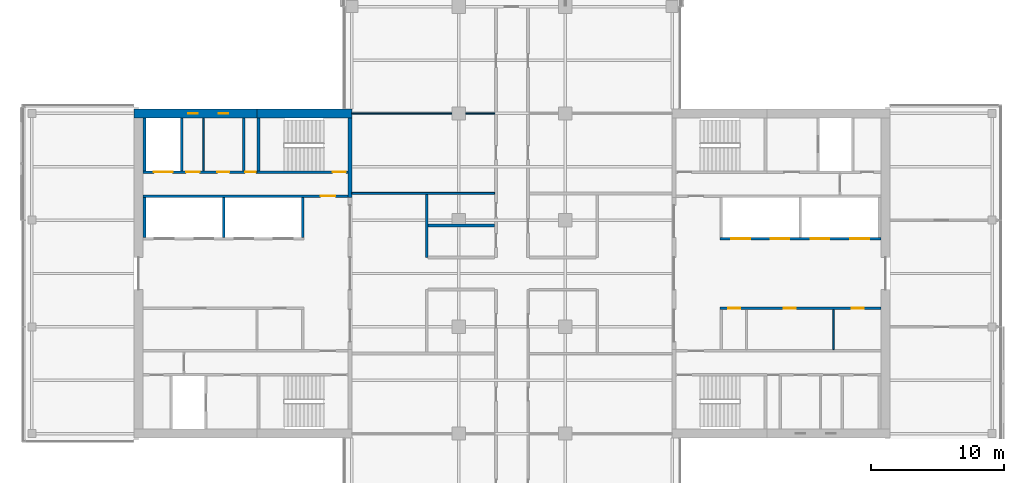
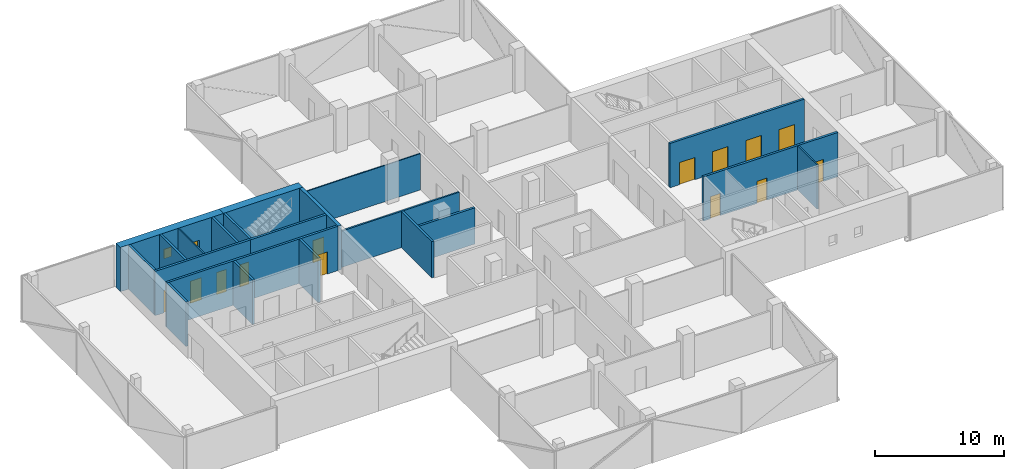
# One storey, part 15 of 22: 21 walls, 13 doors, 2 windows, 15 openings.
"""IFC4 building model written with IfcOpenShell, lengths in metres."""

from ifc_helpers import new_model, si_unit, direction, frame, frame_2d, origin, place, context, subcontext, project, spatial, rectangle, extrude, material, layer, layer_set, constituent, constituent_set, type_object, element, fill, save


model = new_model("IFC4")

# Units and contexts
model_context = context("Model", 3, precision=1e-05, world=origin(), true_north=direction((0.0, 1.0)))
body_context = subcontext(model_context, "Body", "Model", "MODEL_VIEW")
ifc_project = project(units=[si_unit("LENGTHUNIT", "METRE"), si_unit("AREAUNIT", "SQUARE_METRE"), si_unit("VOLUMEUNIT", "CUBIC_METRE"), si_unit("PLANEANGLEUNIT", "RADIAN"), si_unit("MASSUNIT", "GRAM", prefix="KILO")], contexts=[model_context])

# Site, building, storey
site_placement = place(None, origin())
site = spatial("IfcSite", under=ifc_project, at=site_placement, CompositionType="ELEMENT")
building_placement = place(site_placement, origin())
building = spatial("IfcBuilding", under=site, at=building_placement, Name="Crosswind Convention Tower", CompositionType="ELEMENT")
storey_placement = place(building_placement, frame((0.0, 0.0, 133.699951171875)))
storey = spatial("IfcBuildingStorey", under=building, at=storey_placement, Name="L27", CompositionType="ELEMENT", Elevation=133.699951171875)

# Walls
ifc_material_1 = material(Name="Concrete blockwork", Category="masonry")
ifc_layer_1 = layer(ifc_material_1, 0.199951171875)
ifc_layer_set_1 = layer_set([ifc_layer_1], Name="Blockwork partition wall 200")
wall_type_1 = type_object("IfcWallType", Name="Blockwork partition wall 200", PredefinedType="PARTITIONING", material=ifc_layer_set_1)
wall_1_placement = place(storey_placement, frame((104.89990234375, 111.64990234375, 0.0), z_axis=(0.0, 0.0, 1.0), x_axis=(0.0, -1.0, 0.0)))
element("IfcWall", 1, at=wall_1_placement, inside=storey, type_object=wall_type_1, Name="Wall MRSE W L27", PredefinedType="PARTITIONING", context=body_context, shape_type="SweptSolid", body=[
    extrude(rectangle(XDim=3.949951171875, YDim=0.199951171875, at=frame_2d((1.97509765625, 0.0))), origin(), (0.0, 0.0, 1.0), 4.199951171875),
])
ifc_layer_2 = layer(ifc_material_1, 0.199951171875)
ifc_layer_set_2 = layer_set([ifc_layer_2], Name="COMPARTMENT WALL 200 BLOCKWORK")
wall_type_2 = type_object("IfcWallType", Name="COMPARTMENT WALL 200 BLOCKWORK", PredefinedType="SOLIDWALL", material=ifc_layer_set_2)
wall_2_placement = place(storey_placement, frame((118.60009765625, 101.199951171875, 0.0), z_axis=(0.0, 0.0, 1.0), x_axis=(0.0, 1.0, 0.0)))
element("IfcWall", 2, at=wall_2_placement, inside=storey, type_object=wall_type_2, Name="Compartment wall WT42", PredefinedType="SOLIDWALL", context=body_context, shape_type="SweptSolid", body=[
    extrude(rectangle(XDim=4.72509765625, YDim=0.199951171875, at=frame_2d((2.362548828125, 0.0))), origin(), (0.0, 0.0, 1.0), 3.4365234375),
])
wall_3_placement = place(storey_placement, frame((118.699951171875, 103.60009765625, 0.0), z_axis=(0.0, 0.0, 1.0), x_axis=(1.0, 0.0, 0.0)))
element("IfcWall", 3, at=wall_3_placement, inside=storey, type_object=wall_type_2, Name="Compartment wall WT42", PredefinedType="SOLIDWALL", context=body_context, shape_type="SweptSolid", body=[
    extrude(rectangle(XDim=5.0, YDim=0.199951171875, at=frame_2d((2.5, 0.0))), origin(), (0.0, 0.0, 1.0), 3.4365234375),
])
ifc_material_2 = material(Name="Concrete C50/60", Category="concrete")
ifc_layer_3 = layer(ifc_material_2, 0.300048828125)
ifc_layer_set_3 = layer_set([ifc_layer_3], Name="Concrete C50/60")
wall_type_3 = type_object("IfcWallType", Name="Concrete inner core wall 300", PredefinedType="SHEAR", material=ifc_layer_set_3)
wall_4_placement = place(storey_placement, frame((112.85009765625, 111.64990234375, 0.0), z_axis=(0.0, 0.0, 1.0), x_axis=(0.0, -1.0, 0.0)))
element("IfcWall", 4, at=wall_4_placement, inside=storey, type_object=wall_type_3, Name="Wall EM W L27", PredefinedType="SHEAR", context=body_context, shape_type="SweptSolid", body=[
    extrude(rectangle(XDim=5.949951171875, YDim=0.300048828125, at=frame_2d((2.97509765625, 0.0))), origin(), (0.0, 0.0, 1.0), 4.199951171875),
])

# Wall, openings, doors
ifc_layer_4 = layer(ifc_material_2, 0.199951171875)
ifc_layer_set_4 = layer_set([ifc_layer_4], Name="Concrete C50/60")
wall_type_4 = type_object("IfcWallType", Name="Concrete shaft and stair wall 200", PredefinedType="SHEAR", material=ifc_layer_set_4)
wall_5_placement = place(storey_placement, frame((140.60009765625, 102.60009765625, 0.0), z_axis=(0.0, 0.0, 1.0), x_axis=(1.0, 0.0, 0.0)))
wall_5 = element("IfcWall", 5, at=wall_5_placement, inside=storey, type_object=wall_type_4, Name="Wall RPFRONT E L27", PredefinedType="SHEAR", context=body_context, shape_type="SweptSolid", body=[
    extrude(rectangle(XDim=12.0498046875, YDim=0.199951171875, at=frame_2d((6.02490234375, 0.0))), origin(), (0.0, 0.0, 1.0), 4.199951171875),
])
opening_1_placement = place(wall_5_placement, frame((0.85009765625, 0.0, 0.0)))
opening_1 = element("IfcOpeningElement", 6, at=opening_1_placement, cuts=wall_5, Name="Opening LD2", PredefinedType="OPENING", context=body_context, shape_type="SweptSolid", body=[
    extrude(rectangle(XDim=1.39990234375, YDim=2.10009765625, at=frame_2d((0.699951171875, 1.050048828125))), frame((0.0, 0.10986328125, 0.0), z_axis=(0.0, -1.0, 0.0), x_axis=(1.0, 0.0, 0.0)), (0.0, 0.0, 1.0), 0.219970703125),
])
opening_2_placement = place(wall_5_placement, frame((3.800048828125, 0.0, 0.0)))
opening_2 = element("IfcOpeningElement", 7, at=opening_2_placement, cuts=wall_5, Name="Opening LD2", PredefinedType="OPENING", context=body_context, shape_type="SweptSolid", body=[
    extrude(rectangle(XDim=1.39990234375, YDim=2.10009765625, at=frame_2d((0.699951171875, 1.050048828125))), frame((0.0, 0.10986328125, 0.0), z_axis=(0.0, -1.0, 0.0), x_axis=(1.0, 0.0, 0.0)), (0.0, 0.0, 1.0), 0.219970703125),
])
opening_3_placement = place(wall_5_placement, frame((6.800048828125, 0.0, 0.0)))
opening_3 = element("IfcOpeningElement", 8, at=opening_3_placement, cuts=wall_5, Name="Opening LD2", PredefinedType="OPENING", context=body_context, shape_type="SweptSolid", body=[
    extrude(rectangle(XDim=1.39990234375, YDim=2.10009765625, at=frame_2d((0.699951171875, 1.050048828125))), frame((0.0, 0.10986328125, 0.0), z_axis=(0.0, -1.0, 0.0), x_axis=(1.0, 0.0, 0.0)), (0.0, 0.0, 1.0), 0.219970703125),
])
opening_4_placement = place(wall_5_placement, frame((9.77490234375, 0.0, 0.0)))
opening_4 = element("IfcOpeningElement", 9, at=opening_4_placement, cuts=wall_5, Name="Opening LD2", PredefinedType="OPENING", context=body_context, shape_type="SweptSolid", body=[
    extrude(rectangle(XDim=1.39990234375, YDim=2.10009765625, at=frame_2d((0.699951171875, 1.050048828125))), frame((0.0, 0.10986328125, 0.0), z_axis=(0.0, -1.0, 0.0), x_axis=(1.0, 0.0, 0.0)), (0.0, 0.0, 1.0), 0.219970703125),
])
ifc_material_3 = material(Name="Stainless steel", Category="steel")
door_type_1 = type_object("IfcDoorType", Name="Lift landing door 1400x2100", OperationType="DOUBLE_DOOR_SLIDING", PredefinedType="DOOR", material=ifc_material_3)
door_1_placement = place(opening_1_placement, origin())
door_1 = element("IfcDoor", 10, at=door_1_placement, inside=storey, type_object=door_type_1, Name="Landing door A1 L27", ObjectType="LD2", OperationType="DOUBLE_DOOR_SLIDING", OverallHeight=2.10009765625, OverallWidth=1.39990234375, PredefinedType="DOOR", context=body_context, shape_type="SweptSolid", body=[
    extrude(rectangle(XDim=1.39990234375, YDim=2.10009765625, at=frame_2d((0.699951171875, 1.050048828125))), frame((0.0, 0.02490234375, 0.0), z_axis=(0.0, -1.0, 0.0), x_axis=(1.0, 0.0, 0.0)), (0.0, 0.0, 1.0), 0.050048828125),
])
fill(opening_1, door_1)
door_2_placement = place(opening_2_placement, origin())
door_2 = element("IfcDoor", 11, at=door_2_placement, inside=storey, type_object=door_type_1, Name="Landing door A2 L27", ObjectType="LD2", OperationType="DOUBLE_DOOR_SLIDING", OverallHeight=2.10009765625, OverallWidth=1.39990234375, PredefinedType="DOOR", context=body_context, shape_type="SweptSolid", body=[
    extrude(rectangle(XDim=1.39990234375, YDim=2.10009765625, at=frame_2d((0.699951171875, 1.050048828125))), frame((0.0, 0.02490234375, 0.0), z_axis=(0.0, -1.0, 0.0), x_axis=(1.0, 0.0, 0.0)), (0.0, 0.0, 1.0), 0.050048828125),
])
fill(opening_2, door_2)
door_3_placement = place(opening_3_placement, origin())
door_3 = element("IfcDoor", 12, at=door_3_placement, inside=storey, type_object=door_type_1, Name="Landing door A3 L27", ObjectType="LD2", OperationType="DOUBLE_DOOR_SLIDING", OverallHeight=2.10009765625, OverallWidth=1.39990234375, PredefinedType="DOOR", context=body_context, shape_type="SweptSolid", body=[
    extrude(rectangle(XDim=1.39990234375, YDim=2.10009765625, at=frame_2d((0.699951171875, 1.050048828125))), frame((0.0, 0.02490234375, 0.0), z_axis=(0.0, -1.0, 0.0), x_axis=(1.0, 0.0, 0.0)), (0.0, 0.0, 1.0), 0.050048828125),
])
fill(opening_3, door_3)
door_4_placement = place(opening_4_placement, origin())
door_4 = element("IfcDoor", 13, at=door_4_placement, inside=storey, type_object=door_type_1, Name="Landing door A4 L27", ObjectType="LD2", OperationType="DOUBLE_DOOR_SLIDING", OverallHeight=2.10009765625, OverallWidth=1.39990234375, PredefinedType="DOOR", context=body_context, shape_type="SweptSolid", body=[
    extrude(rectangle(XDim=1.39990234375, YDim=2.10009765625, at=frame_2d((0.699951171875, 1.050048828125))), frame((0.0, 0.02490234375, 0.0), z_axis=(0.0, -1.0, 0.0), x_axis=(1.0, 0.0, 0.0)), (0.0, 0.0, 1.0), 0.050048828125),
])
fill(opening_4, door_4)

wall_6_placement = place(storey_placement, frame((140.60009765625, 97.39990234375, 0.0), z_axis=(0.0, 0.0, 1.0), x_axis=(1.0, 0.0, 0.0)))
wall_6 = element("IfcWall", 14, at=wall_6_placement, inside=storey, type_object=wall_type_4, Name="Wall RMFRONT E L27", PredefinedType="SHEAR", context=body_context, shape_type="SweptSolid", body=[
    extrude(rectangle(XDim=12.0498046875, YDim=0.199951171875, at=frame_2d((6.02490234375, 0.0))), origin(), (0.0, 0.0, 1.0), 4.199951171875),
])
opening_5_placement = place(wall_6_placement, frame((0.607421875, 0.0, 0.0)))
opening_5 = element("IfcOpeningElement", 15, at=opening_5_placement, cuts=wall_6, Name="Opening D106", PredefinedType="OPENING", context=body_context, shape_type="SweptSolid", body=[
    extrude(rectangle(XDim=0.89990234375, YDim=2.10009765625, at=frame_2d((0.449951171875, 1.050048828125))), frame((0.0, 0.10986328125, 0.0), z_axis=(0.0, -1.0, 0.0), x_axis=(1.0, 0.0, 0.0)), (0.0, 0.0, 1.0), 0.219970703125),
])
opening_6_placement = place(wall_6_placement, frame((4.7861328125, 0.0, 0.0)))
opening_6 = element("IfcOpeningElement", 16, at=opening_6_placement, cuts=wall_6, Name="Opening D106", PredefinedType="OPENING", context=body_context, shape_type="SweptSolid", body=[
    extrude(rectangle(XDim=0.89990234375, YDim=2.10009765625, at=frame_2d((0.449951171875, 1.050048828125))), frame((0.0, 0.10986328125, 0.0), z_axis=(0.0, -1.0, 0.0), x_axis=(1.0, 0.0, 0.0)), (0.0, 0.0, 1.0), 0.219970703125),
])
opening_7_placement = place(wall_6_placement, frame((9.853759765625, 0.0, 0.0)))
opening_7 = element("IfcOpeningElement", 17, at=opening_7_placement, cuts=wall_6, Name="Opening D106", PredefinedType="OPENING", context=body_context, shape_type="SweptSolid", body=[
    extrude(rectangle(XDim=0.89990234375, YDim=2.10009765625, at=frame_2d((0.449951171875, 1.050048828125))), frame((0.0, 0.10986328125, 0.0), z_axis=(0.0, -1.0, 0.0), x_axis=(1.0, 0.0, 0.0)), (0.0, 0.0, 1.0), 0.219970703125),
])
ifc_material_4 = material(Name="Timber door", Category="wood")
door_type_2 = type_object("IfcDoorType", Name="Single leaf door 900x2100", OperationType="NOTDEFINED", PredefinedType="DOOR", material=ifc_material_4)
door_5_placement = place(opening_5_placement, frame((0.89990234375, 0.0, 0.0), z_axis=(0.0, 0.0, 1.0), x_axis=(-1.0, 0.0, 0.0)))
door_5 = element("IfcDoor", 18, at=door_5_placement, inside=storey, type_object=door_type_2, Name="Door to storeroom L27", ObjectType="D106", OperationType="SINGLE_SWING_LEFT", OverallHeight=2.10009765625, OverallWidth=0.89990234375, PredefinedType="DOOR", context=body_context, shape_type="SweptSolid", body=[
    extrude(rectangle(XDim=0.89990234375, YDim=2.10009765625, at=frame_2d((0.449951171875, 1.050048828125))), frame((0.0, 0.02490234375, 0.0), z_axis=(0.0, -1.0, 0.0), x_axis=(1.0, 0.0, 0.0)), (0.0, 0.0, 1.0), 0.050048828125),
])
fill(opening_5, door_5)
door_6_placement = place(opening_6_placement, frame((0.89990234375, 0.0, 0.0), z_axis=(0.0, 0.0, 1.0), x_axis=(-1.0, 0.0, 0.0)))
door_6 = element("IfcDoor", 19, at=door_6_placement, inside=storey, type_object=door_type_2, Name="Door to tenant services room L27", ObjectType="D106", OperationType="SINGLE_SWING_LEFT", OverallHeight=2.10009765625, OverallWidth=0.89990234375, PredefinedType="DOOR", context=body_context, shape_type="SweptSolid", body=[
    extrude(rectangle(XDim=0.89990234375, YDim=2.10009765625, at=frame_2d((0.449951171875, 1.050048828125))), frame((0.0, 0.02490234375, 0.0), z_axis=(0.0, -1.0, 0.0), x_axis=(1.0, 0.0, 0.0)), (0.0, 0.0, 1.0), 0.050048828125),
])
fill(opening_6, door_6)
door_7_placement = place(opening_7_placement, frame((0.89990234375, 0.0, 0.0), z_axis=(0.0, 0.0, 1.0), x_axis=(-1.0, 0.0, 0.0)))
door_7 = element("IfcDoor", 20, at=door_7_placement, inside=storey, type_object=door_type_2, Name="Door to copy and print room L27", ObjectType="D106", OperationType="SINGLE_SWING_LEFT", OverallHeight=2.10009765625, OverallWidth=0.89990234375, PredefinedType="DOOR", context=body_context, shape_type="SweptSolid", body=[
    extrude(rectangle(XDim=0.89990234375, YDim=2.10009765625, at=frame_2d((0.449951171875, 1.050048828125))), frame((0.0, 0.02490234375, 0.0), z_axis=(0.0, -1.0, 0.0), x_axis=(1.0, 0.0, 0.0)), (0.0, 0.0, 1.0), 0.050048828125),
])
fill(opening_7, door_7)

# Walls
for number, where, z_axis, x_axis, name in (
    (21, (109.300048828125, 105.699951171875, 0.0), (0.0, 0.0, 1.0), (0.0, -1.0, 0.0), "Wall RMEND W L27"),
    (22, (103.39990234375, 105.699951171875, 0.0), (0.0, 0.0, 1.0), (0.0, -1.0, 0.0), "Wall RMSEP W L27"),
    (23, (97.449951171875, 105.699951171875, 0.0), (0.0, 0.0, 1.0), (0.0, -1.0, 0.0), "Wall RMEAST W L27"),
):
    element("IfcWall", number, at=place(storey_placement, frame(where, z_axis=z_axis, x_axis=x_axis)), inside=storey, type_object=wall_type_4, Name=name, PredefinedType="SHEAR", context=body_context, shape_type="SweptSolid", body=[
        extrude(rectangle(XDim=3.0, YDim=0.199951171875, at=frame_2d((1.5, 0.0))), origin(), (0.0, 0.0, 1.0), 4.199951171875),
    ])

# Wall, opening, door
wall_7_placement = place(storey_placement, frame((112.699951171875, 105.800048828125, 0.0), z_axis=(0.0, 0.0, 1.0), x_axis=(-1.0, 0.0, 0.0)))
wall_7 = element("IfcWall", 24, at=wall_7_placement, inside=storey, type_object=wall_type_4, Name="Wall HM W L27", PredefinedType="SHEAR", context=body_context, shape_type="SweptSolid", body=[
    extrude(rectangle(XDim=15.349853515625, YDim=0.199951171875, at=frame_2d((7.6748046875, 0.0))), origin(), (0.0, 0.0, 1.0), 4.199951171875),
])
opening_8_placement = place(wall_7_placement, frame((0.949951171875, 0.0, 0.0)))
opening_8 = element("IfcOpeningElement", 25, at=opening_8_placement, cuts=wall_7, Name="Opening D104", PredefinedType="OPENING", context=body_context, shape_type="SweptSolid", body=[
    extrude(rectangle(XDim=1.10009765625, YDim=2.10009765625, at=frame_2d((0.550048828125, 1.050048828125))), frame((0.0, 0.10986328125, 0.0), z_axis=(0.0, -1.0, 0.0), x_axis=(1.0, 0.0, 0.0)), (0.0, 0.0, 1.0), 0.219970703125),
])
ifc_material_5 = material(Name="Steel fire door", Category="steel")
door_type_3 = type_object("IfcDoorType", Name="Fire-rated single door 1100x2100", OperationType="NOTDEFINED", PredefinedType="DOOR", material=ifc_material_5)
door_8_placement = place(opening_8_placement, origin())
door_8 = element("IfcDoor", 26, at=door_8_placement, inside=storey, type_object=door_type_3, Name="Corridor door L27", ObjectType="D104", OperationType="SINGLE_SWING_LEFT", OverallHeight=2.10009765625, OverallWidth=1.10009765625, PredefinedType="DOOR", context=body_context, shape_type="SweptSolid", body=[
    extrude(rectangle(XDim=1.10009765625, YDim=2.10009765625, at=frame_2d((0.550048828125, 1.050048828125))), frame((0.0, 0.02490234375, 0.0), z_axis=(0.0, -1.0, 0.0), x_axis=(1.0, 0.0, 0.0)), (0.0, 0.0, 1.0), 0.050048828125),
])
fill(opening_8, door_8)

# Walls
for number, where, z_axis, x_axis, name in (
    (27, (106.0, 111.64990234375, 0.0), (0.0, 0.0, 1.0), (0.0, -1.0, 0.0), "Wall MSE W L27"),
    (28, (100.25, 111.64990234375, 0.0), (0.0, 0.0, 1.0), (0.0, -1.0, 0.0), "Wall MFSW W L27"),
    (29, (97.449951171875, 111.64990234375, 0.0), (0.0, 0.0, 1.0), (0.0, -1.0, 0.0), "Wall MFSE W L27"),
):
    element("IfcWall", number, at=place(storey_placement, frame(where, z_axis=z_axis, x_axis=x_axis)), inside=storey, type_object=wall_type_4, Name=name, PredefinedType="SHEAR", context=body_context, shape_type="SweptSolid", body=[
        extrude(rectangle(XDim=3.949951171875, YDim=0.199951171875, at=frame_2d((1.97509765625, 0.0))), origin(), (0.0, 0.0, 1.0), 4.199951171875),
    ])

# Wall, opening, door
wall_8_placement = place(storey_placement, frame((112.699951171875, 107.60009765625, 0.0), z_axis=(0.0, 0.0, 1.0), x_axis=(-1.0, 0.0, 0.0)))
wall_8 = element("IfcWall", 30, at=wall_8_placement, inside=storey, type_object=wall_type_4, Name="Wall MCW W L27", PredefinedType="SHEAR", context=body_context, shape_type="SweptSolid", body=[
    extrude(rectangle(XDim=6.800048828125, YDim=0.199951171875, at=frame_2d((3.39990234375, 0.0))), origin(), (0.0, 0.0, 1.0), 4.199951171875),
])
opening_9_placement = place(wall_8_placement, frame((0.14990234375, 0.0, 0.0)))
opening_9 = element("IfcOpeningElement", 31, at=opening_9_placement, cuts=wall_8, Name="Opening D103", PredefinedType="OPENING", context=body_context, shape_type="SweptSolid", body=[
    extrude(rectangle(XDim=1.0, YDim=2.10009765625, at=frame_2d((0.5, 1.050048828125))), frame((0.0, 0.10986328125, 0.0), z_axis=(0.0, -1.0, 0.0), x_axis=(1.0, 0.0, 0.0)), (0.0, 0.0, 1.0), 0.219970703125),
])
door_type_4 = type_object("IfcDoorType", Name="Fire-rated single door 1000x2100", OperationType="NOTDEFINED", PredefinedType="DOOR", material=ifc_material_5)
door_9_placement = place(opening_9_placement, frame((1.0, 0.0, 0.0), z_axis=(0.0, 0.0, 1.0), x_axis=(-1.0, 0.0, 0.0)))
door_9 = element("IfcDoor", 32, at=door_9_placement, inside=storey, type_object=door_type_4, Name="Stair ST4 door L27", ObjectType="D103", OperationType="SINGLE_SWING_RIGHT", OverallHeight=2.10009765625, OverallWidth=1.0, PredefinedType="DOOR", context=body_context, shape_type="SweptSolid", body=[
    extrude(rectangle(XDim=1.0, YDim=2.10009765625, at=frame_2d((0.5, 1.050048828125))), frame((0.0, 0.02490234375, 0.0), z_axis=(0.0, -1.0, 0.0), x_axis=(1.0, 0.0, 0.0)), (0.0, 0.0, 1.0), 0.050048828125),
])
fill(opening_9, door_9)

# Wall, openings, doors
wall_9_placement = place(storey_placement, frame((105.89990234375, 107.60009765625, 0.0), z_axis=(0.0, 0.0, 1.0), x_axis=(-1.0, 0.0, 0.0)))
wall_9 = element("IfcWall", 33, at=wall_9_placement, inside=storey, type_object=wall_type_4, Name="Wall MCX W L27", PredefinedType="SHEAR", context=body_context, shape_type="SweptSolid", body=[
    extrude(rectangle(XDim=8.5498046875, YDim=0.199951171875, at=frame_2d((4.27490234375, 0.0))), origin(), (0.0, 0.0, 1.0), 4.199951171875),
])
opening_10_placement = place(wall_9_placement, frame((0.10009765625, 0.0, 0.0)))
opening_10 = element("IfcOpeningElement", 34, at=opening_10_placement, cuts=wall_9, Name="Opening D105", PredefinedType="OPENING", context=body_context, shape_type="SweptSolid", body=[
    extrude(rectangle(XDim=0.800048828125, YDim=2.10009765625, at=frame_2d((0.39990234375, 1.050048828125))), frame((0.0, 0.10986328125, 0.0), z_axis=(0.0, -1.0, 0.0), x_axis=(1.0, 0.0, 0.0)), (0.0, 0.0, 1.0), 0.219970703125),
])
opening_11_placement = place(wall_9_placement, frame((2.087158203125, 0.0, 0.0)))
opening_11 = element("IfcOpeningElement", 35, at=opening_11_placement, cuts=wall_9, Name="Opening D106", PredefinedType="OPENING", context=body_context, shape_type="SweptSolid", body=[
    extrude(rectangle(XDim=0.89990234375, YDim=2.10009765625, at=frame_2d((0.449951171875, 1.050048828125))), frame((0.0, 0.10986328125, 0.0), z_axis=(0.0, -1.0, 0.0), x_axis=(1.0, 0.0, 0.0)), (0.0, 0.0, 1.0), 0.219970703125),
])
opening_12_placement = place(wall_9_placement, frame((4.32470703125, 0.0, 0.0)))
opening_12 = element("IfcOpeningElement", 36, at=opening_12_placement, cuts=wall_9, Name="Opening D103", PredefinedType="OPENING", context=body_context, shape_type="SweptSolid", body=[
    extrude(rectangle(XDim=1.0, YDim=2.10009765625, at=frame_2d((0.5, 1.050048828125))), frame((0.0, 0.10986328125, 0.0), z_axis=(0.0, -1.0, 0.0), x_axis=(1.0, 0.0, 0.0)), (0.0, 0.0, 1.0), 0.219970703125),
])
opening_13_placement = place(wall_9_placement, frame((6.35009765625, 0.0, 0.0)))
opening_13 = element("IfcOpeningElement", 37, at=opening_13_placement, cuts=wall_9, Name="Opening LD2", PredefinedType="OPENING", context=body_context, shape_type="SweptSolid", body=[
    extrude(rectangle(XDim=1.39990234375, YDim=2.10009765625, at=frame_2d((0.699951171875, 1.050048828125))), frame((0.0, 0.10986328125, 0.0), z_axis=(0.0, -1.0, 0.0), x_axis=(1.0, 0.0, 0.0)), (0.0, 0.0, 1.0), 0.219970703125),
])
door_10_placement = place(opening_12_placement, frame((1.0, 0.0, 0.0), z_axis=(0.0, 0.0, 1.0), x_axis=(-1.0, 0.0, 0.0)))
door_10 = element("IfcDoor", 38, at=door_10_placement, inside=storey, type_object=door_type_4, Name="Door to accessible wc L27", ObjectType="D103", OperationType="SINGLE_SWING_LEFT", OverallHeight=2.10009765625, OverallWidth=1.0, PredefinedType="DOOR", context=body_context, shape_type="SweptSolid", body=[
    extrude(rectangle(XDim=1.0, YDim=2.10009765625, at=frame_2d((0.5, 1.050048828125))), frame((0.0, 0.02490234375, 0.0), z_axis=(0.0, -1.0, 0.0), x_axis=(1.0, 0.0, 0.0)), (0.0, 0.0, 1.0), 0.050048828125),
])
fill(opening_12, door_10)
door_11_placement = place(opening_13_placement, origin())
door_11 = element("IfcDoor", 39, at=door_11_placement, inside=storey, type_object=door_type_1, Name="Landing door SV2 L27", ObjectType="LD2", OperationType="DOUBLE_DOOR_SLIDING", OverallHeight=2.10009765625, OverallWidth=1.39990234375, PredefinedType="DOOR", context=body_context, shape_type="SweptSolid", body=[
    extrude(rectangle(XDim=1.39990234375, YDim=2.10009765625, at=frame_2d((0.699951171875, 1.050048828125))), frame((0.0, 0.02490234375, 0.0), z_axis=(0.0, -1.0, 0.0), x_axis=(1.0, 0.0, 0.0)), (0.0, 0.0, 1.0), 0.050048828125),
])
fill(opening_13, door_11)
door_type_5 = type_object("IfcDoorType", Name="Riser access door 800x2100", OperationType="NOTDEFINED", PredefinedType="DOOR", material=ifc_material_5)
door_12_placement = place(opening_10_placement, frame((0.800048828125, 0.0, 0.0), z_axis=(0.0, 0.0, 1.0), x_axis=(-1.0, 0.0, 0.0)))
door_12 = element("IfcDoor", 40, at=door_12_placement, inside=storey, type_object=door_type_5, Name="Riser door L27", ObjectType="D105", OperationType="SINGLE_SWING_LEFT", OverallHeight=2.10009765625, OverallWidth=0.800048828125, PredefinedType="DOOR", context=body_context, shape_type="SweptSolid", body=[
    extrude(rectangle(XDim=0.800048828125, YDim=2.10009765625, at=frame_2d((0.39990234375, 1.050048828125))), frame((0.0, 0.02490234375, 0.0), z_axis=(0.0, -1.0, 0.0), x_axis=(1.0, 0.0, 0.0)), (0.0, 0.0, 1.0), 0.050048828125),
])
fill(opening_10, door_12)
door_13_placement = place(opening_11_placement, frame((0.89990234375, 0.0, 0.0), z_axis=(0.0, 0.0, 1.0), x_axis=(-1.0, 0.0, 0.0)))
door_13 = element("IfcDoor", 41, at=door_13_placement, inside=storey, type_object=door_type_2, Name="Door to wc L27", ObjectType="D106", OperationType="SINGLE_SWING_LEFT", OverallHeight=2.10009765625, OverallWidth=0.89990234375, PredefinedType="DOOR", context=body_context, shape_type="SweptSolid", body=[
    extrude(rectangle(XDim=0.89990234375, YDim=2.10009765625, at=frame_2d((0.449951171875, 1.050048828125))), frame((0.0, 0.02490234375, 0.0), z_axis=(0.0, -1.0, 0.0), x_axis=(1.0, 0.0, 0.0)), (0.0, 0.0, 1.0), 0.050048828125),
])
fill(opening_11, door_13)

# Walls
ifc_material_6 = material(Name="Gypsum plasterboard partition", Category="gypsum")
ifc_layer_5 = layer(ifc_material_6, 0.125)
ifc_layer_set_5 = layer_set([ifc_layer_5], Name="Drywall partition wall 125")
wall_type_5 = type_object("IfcWallType", Name="Drywall partition wall 125", PredefinedType="PARTITIONING", material=ifc_layer_set_5)
wall_10_placement = place(storey_placement, frame((149.094970703125, 94.300048828125, 0.0), z_axis=(0.0, 0.0, 1.0), x_axis=(0.0, 1.0, 0.0)))
element("IfcWall", 42, at=wall_10_placement, inside=storey, type_object=wall_type_5, Name="Wall RMP2 E L27", PredefinedType="PARTITIONING", context=body_context, shape_type="SweptSolid", body=[
    extrude(rectangle(XDim=3.0, YDim=0.125, at=frame_2d((1.5, 0.0))), origin(), (0.0, 0.0, 1.0), 4.199951171875),
])
wall_11_placement = place(storey_placement, frame((101.863037109375, 111.64990234375, 0.0), z_axis=(0.0, 0.0, 1.0), x_axis=(0.0, -1.0, 0.0)))
element("IfcWall", 43, at=wall_11_placement, inside=storey, type_object=wall_type_5, Name="Wall MWP1 W L27", PredefinedType="PARTITIONING", context=body_context, shape_type="SweptSolid", body=[
    extrude(rectangle(XDim=3.949951171875, YDim=0.125, at=frame_2d((1.97509765625, 0.0))), origin(), (0.0, 0.0, 1.0), 4.199951171875),
])
ifc_material_7 = material(Name="Plasterboard partition", Category="gypsum")
ifc_layer_6 = layer(ifc_material_7, 0.10009765625)
ifc_layer_set_6 = layer_set([ifc_layer_6], Name="PARTITION 100 METAL STUD")
wall_type_6 = type_object("IfcWallType", Name="PARTITION 100 METAL STUD", PredefinedType="PARTITIONING", material=ifc_layer_set_6)
wall_12_placement = place(storey_placement, frame((113.0, 112.0, 0.0), z_axis=(0.0, 0.0, 1.0), x_axis=(1.0, 0.0, 0.0)))
element("IfcWall", 44, at=wall_12_placement, inside=storey, type_object=wall_type_6, Name="Partition wall WT40", PredefinedType="PARTITIONING", context=body_context, shape_type="SweptSolid", body=[
    extrude(rectangle(XDim=10.699951171875, YDim=0.10009765625, at=frame_2d((5.35009765625, 0.0))), origin(), (0.0, 0.0, 1.0), 3.4365234375),
])
ifc_material_8 = material(Name="Fire-board partition with mineral wool", Category="gypsum")
ifc_layer_7 = layer(ifc_material_8, 0.14990234375)
ifc_layer_set_7 = layer_set([ifc_layer_7], Name="TENANCY WALL 150 TWO-HOUR BOARD")
wall_type_7 = type_object("IfcWallType", Name="TENANCY WALL 150 TWO-HOUR BOARD", PredefinedType="PARTITIONING", material=ifc_layer_set_7)
wall_13_placement = place(storey_placement, frame((113.0, 106.0, 0.0), z_axis=(0.0, 0.0, 1.0), x_axis=(1.0, 0.0, 0.0)))
element("IfcWall", 45, at=wall_13_placement, inside=storey, type_object=wall_type_7, Name="Tenancy wall WT41", PredefinedType="PARTITIONING", context=body_context, shape_type="SweptSolid", body=[
    extrude(rectangle(XDim=10.699951171875, YDim=0.14990234375, at=frame_2d((5.35009765625, 0.0))), origin(), (0.0, 0.0, 1.0), 3.4365234375),
])
ifc_material_9 = material(Name="Concrete C60/75", Category="concrete")
ifc_constituent_1 = constituent(ifc_material_9, Name="Structure")
ifc_material_10 = material(Name="Terracotta rainscreen", Category="ceramic")
ifc_constituent_2 = constituent(ifc_material_10, Name="Facing")
ifc_constituent_set = constituent_set(constituents=[ifc_constituent_1, ifc_constituent_2], Name="Concrete C60/75, Terracotta rainscreen")
wall_type_8 = type_object("IfcWallType", Name="Terracotta rainscreen on concrete core wall 700", PredefinedType="SHEAR", material=ifc_constituent_set)
wall_14_placement = place(storey_placement, frame((113.0, 112.0, 0.0), z_axis=(0.0, 0.0, 1.0), x_axis=(-1.0, 0.0, 0.0)))
element("IfcWall", 46, at=wall_14_placement, inside=storey, type_object=wall_type_8, Name="Wall S1 W L27", PredefinedType="SHEAR", context=body_context, shape_type="SweptSolid", body=[
    extrude(rectangle(XDim=7.10009765625, YDim=0.699951171875, at=frame_2d((3.550048828125, 0.0))), origin(), (0.0, 0.0, 1.0), 4.199951171875),
])

# Wall, openings, windows
wall_15_placement = place(storey_placement, frame((105.89990234375, 112.0, 0.0), z_axis=(0.0, 0.0, 1.0), x_axis=(-1.0, 0.0, 0.0)))
wall_15 = element("IfcWall", 47, at=wall_15_placement, inside=storey, type_object=wall_type_8, Name="Wall S2 W L27", PredefinedType="SHEAR", context=body_context, shape_type="SweptSolid", body=[
    extrude(rectangle(XDim=9.25, YDim=0.699951171875, at=frame_2d((4.625, 0.0))), origin(), (0.0, 0.0, 1.0), 4.199951171875),
])
opening_14_placement = place(wall_15_placement, frame((2.187255859375, 0.0, 1.5)))
opening_14 = element("IfcOpeningElement", 48, at=opening_14_placement, cuts=wall_15, Name="Opening W2", PredefinedType="OPENING", context=body_context, shape_type="SweptSolid", body=[
    extrude(rectangle(XDim=0.699951171875, YDim=0.89990234375, at=frame_2d((0.35009765625, 0.449951171875))), frame((0.0, 0.35986328125, 0.0), z_axis=(0.0, -1.0, 0.0), x_axis=(1.0, 0.0, 0.0)), (0.0, 0.0, 1.0), 0.719970703125),
])
opening_15_placement = place(wall_15_placement, frame((4.474853515625, 0.0, 1.5)))
opening_15 = element("IfcOpeningElement", 49, at=opening_15_placement, cuts=wall_15, Name="Opening W2", PredefinedType="OPENING", context=body_context, shape_type="SweptSolid", body=[
    extrude(rectangle(XDim=0.699951171875, YDim=0.89990234375, at=frame_2d((0.35009765625, 0.449951171875))), frame((0.0, 0.35986328125, 0.0), z_axis=(0.0, -1.0, 0.0), x_axis=(1.0, 0.0, 0.0)), (0.0, 0.0, 1.0), 0.719970703125),
])
ifc_material_11 = material(Name="Obscure glass in aluminium frame", Category="aluminium")
window_type = type_object("IfcWindowType", Name="WC window 700x900", PartitioningType="SINGLE_PANEL", PredefinedType="WINDOW", material=ifc_material_11)
window_1_placement = place(opening_14_placement, origin())
window_1 = element("IfcWindow", 50, at=window_1_placement, inside=storey, type_object=window_type, Name="WC window L27", ObjectType="W2", OverallHeight=0.89990234375, OverallWidth=0.699951171875, PartitioningType="SINGLE_PANEL", PredefinedType="WINDOW", context=body_context, shape_type="SweptSolid", body=[
    extrude(rectangle(XDim=0.699951171875, YDim=0.89990234375, at=frame_2d((0.35009765625, 0.449951171875))), frame((0.0, 0.030029296875, 0.0), z_axis=(0.0, -1.0, 0.0), x_axis=(1.0, 0.0, 0.0)), (0.0, 0.0, 1.0), 0.06005859375),
])
fill(opening_14, window_1)
window_2_placement = place(opening_15_placement, origin())
window_2 = element("IfcWindow", 51, at=window_2_placement, inside=storey, type_object=window_type, Name="WC window L27", ObjectType="W2", OverallHeight=0.89990234375, OverallWidth=0.699951171875, PartitioningType="SINGLE_PANEL", PredefinedType="WINDOW", context=body_context, shape_type="SweptSolid", body=[
    extrude(rectangle(XDim=0.699951171875, YDim=0.89990234375, at=frame_2d((0.35009765625, 0.449951171875))), frame((0.0, 0.030029296875, 0.0), z_axis=(0.0, -1.0, 0.0), x_axis=(1.0, 0.0, 0.0)), (0.0, 0.0, 1.0), 0.06005859375),
])
fill(opening_15, window_2)

save(model, "model.ifc")
